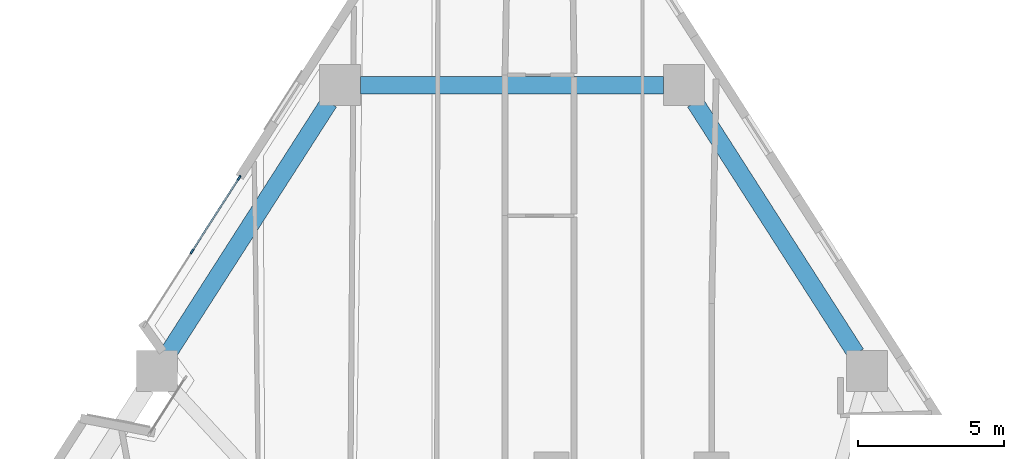
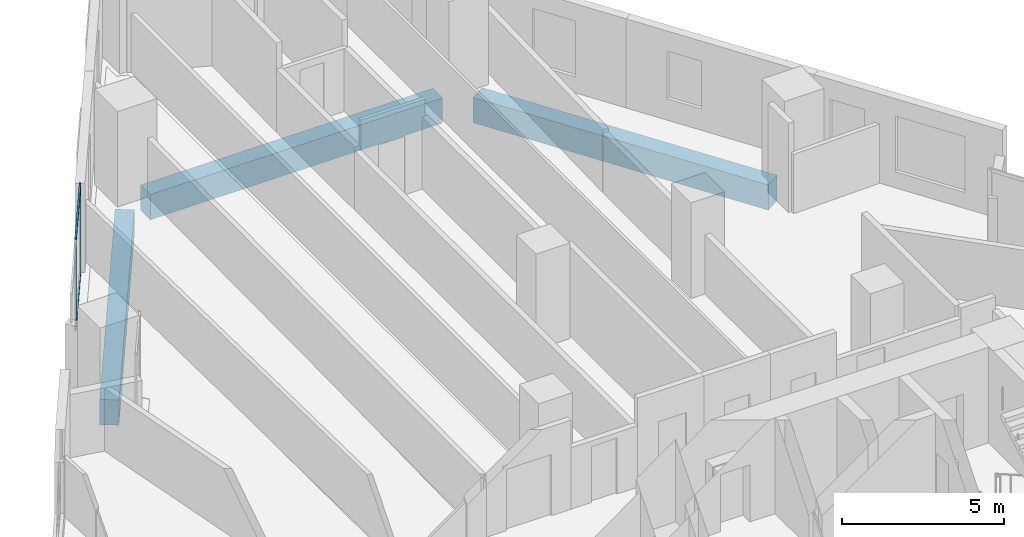
# One storey, part 6 of 15: 4 members, 3 beams, 1 element without a shape of its own.
"""IFC4 building model written with IfcOpenShell, lengths in metres."""

from ifc_helpers import new_model, si_unit, direction, frame, origin, origin_2d, place, context, subcontext, project, spatial, rectangle, extrude, material, layer, layer_set, material_profile, profile_set, type_object, element, aggregate, save


model = new_model("IFC4")

# Units and contexts
model_context = context("Model", 3, precision=1e-05, world=origin(), true_north=direction((0.0, 1.0)))
body_context = subcontext(model_context, "Body", "Model", "MODEL_VIEW")
ifc_project = project(units=[si_unit("LENGTHUNIT", "METRE"), si_unit("AREAUNIT", "SQUARE_METRE"), si_unit("VOLUMEUNIT", "CUBIC_METRE"), si_unit("PLANEANGLEUNIT", "RADIAN"), si_unit("MASSUNIT", "GRAM", prefix="KILO")], contexts=[model_context])

# Site, building, storey
site_placement = place(None, origin())
site = spatial("IfcSite", under=ifc_project, at=site_placement, CompositionType="ELEMENT")
building_placement = place(site_placement, origin())
building = spatial("IfcBuilding", under=site, at=building_placement, Name="Almagre Mirador Tower", CompositionType="ELEMENT")
storey_placement = place(building_placement, frame((0.0, 0.0, 31.800048828125)))
storey = spatial("IfcBuildingStorey", under=building, at=storey_placement, Name="L06", CompositionType="ELEMENT", Elevation=31.800048828125)

# Beams
ifc_material_1 = material(Name="Precast concrete C50/60", Category="concrete")
ifc_material_profile_1 = material_profile(ifc_material_1, rectangle(XDim=0.60009765625, YDim=0.949951171875, at=origin_2d()), Name="RC600X950")
ifc_profile_set_1 = profile_set([ifc_material_profile_1], Name="Precast concrete C50/60")
beam_type = type_object("IfcBeamType", Name="BM-SPN-RC600X950", PredefinedType="SPANDREL", material=ifc_profile_set_1)
beam_1_placement = place(storey_placement, frame((47.80029296875, 30.162353515625, -0.72509765625), z_axis=(-0.539538717329, 0.841960790359, 0.0), x_axis=(-0.841960790359, -0.539538717329, 0.0)))
element("IfcBeam", 1, at=beam_1_placement, inside=storey, type_object=beam_type, Name="L06 perimeter spandrel beam PC07-PC08", PredefinedType="SPANDREL", context=body_context, shape_type="SweptSolid", body=[
    extrude(rectangle(XDim=0.60009765625, YDim=0.949951171875, at=origin_2d()), origin(), (0.0, 0.0, 1.0), 10.239501953125),
])
beam_2_placement = place(storey_placement, frame((41.197998046875, 39.373046875, -0.72509765625), z_axis=(-1.0, 0.0, 0.0), x_axis=(0.0, -1.0, 0.0)))
element("IfcBeam", 2, at=beam_2_placement, inside=storey, type_object=beam_type, Name="L06 perimeter spandrel beam PC08-PC09", PredefinedType="SPANDREL", context=body_context, shape_type="SweptSolid", body=[
    extrude(rectangle(XDim=0.60009765625, YDim=0.949951171875, at=origin_2d()), origin(), (0.0, 0.0, 1.0), 10.39599609375),
])
beam_3_placement = place(storey_placement, frame((29.724365234375, 38.78369140625, -0.72509765625), z_axis=(-0.539538717329, -0.841960790359, 0.0), x_axis=(0.841960790359, -0.539538717329, 0.0)))
element("IfcBeam", 3, at=beam_3_placement, inside=storey, type_object=beam_type, Name="L06 perimeter spandrel beam PC09-PC10", PredefinedType="SPANDREL", context=body_context, shape_type="SweptSolid", body=[
    extrude(rectangle(XDim=0.60009765625, YDim=0.949951171875, at=origin_2d()), origin(), (0.0, 0.0, 1.0), 10.239501953125),
])

# Curtain wall, members
ifc_material_2 = material(Name="Black anodized aluminium", Category="aluminium")
ifc_layer = layer(ifc_material_2, 0.18994140625)
ifc_layer_set = layer_set([ifc_layer], Name="Black anodized aluminium")
curtain_wall_type = type_object("IfcCurtainWallType", Name="CW-RES-L-SYS", PredefinedType="NOTDEFINED", material=ifc_layer_set)
curtain_wall_placement = place(storey_placement, origin())
curtain_wall = element("IfcCurtainWall", 4, at=curtain_wall_placement, inside=storey, type_object=curtain_wall_type, Name="L06 curtain wall run 02", PredefinedType="NOTDEFINED")
ifc_material_3 = material(Name="Black anodized aluminium", Category="aluminium")
ifc_material_profile_2 = material_profile(ifc_material_3, rectangle(XDim=0.06494140625, YDim=0.179931640625, at=origin_2d()), Name="CWM65X180")
ifc_profile_set_2 = profile_set([ifc_material_profile_2], Name="Black anodized aluminium")
member_type_1 = type_object("IfcMemberType", Name="MBR-CWM65X180", PredefinedType="MULLION", material=ifc_profile_set_2)
member_1_placement = place(storey_placement, frame((25.0224609375, 33.66943359375, 0.0), z_axis=(0.0, 0.0, 1.0), x_axis=(-0.841967002982, 0.539529022287, 0.0)))
member_1 = element("IfcMember", 5, at=member_1_placement, type_object=member_type_1, Name="CW-2 mullion 2", PredefinedType="MULLION", context=body_context, shape_type="SweptSolid", body=[
    extrude(rectangle(XDim=0.06494140625, YDim=0.179931640625, at=origin_2d()), origin(), (0.0, 0.0, 1.0), 3.349853515625),
])
member_2_placement = place(storey_placement, frame((26.63916015625, 36.192626953125, 0.0), z_axis=(0.0, 0.0, 1.0), x_axis=(-0.841967002982, 0.539529022287, 0.0)))
member_2 = element("IfcMember", 6, at=member_2_placement, type_object=member_type_1, Name="CW-2 mullion 3", PredefinedType="MULLION", context=body_context, shape_type="SweptSolid", body=[
    extrude(rectangle(XDim=0.06494140625, YDim=0.179931640625, at=origin_2d()), origin(), (0.0, 0.0, 1.0), 3.349853515625),
])
ifc_material_4 = material(Name="Black anodized aluminium", Category="aluminium")
ifc_material_profile_3 = material_profile(ifc_material_4, rectangle(XDim=0.06005859375, YDim=0.1298828125, at=origin_2d()), Name="CWT60X130")
ifc_profile_set_3 = profile_set([ifc_material_profile_3], Name="Black anodized aluminium")
member_type_2 = type_object("IfcMemberType", Name="MBR-CWT60X130", PredefinedType="USERDEFINED", material=ifc_profile_set_3)
member_3_placement = place(storey_placement, frame((25.039794921875, 33.69677734375, 0.030029296875), z_axis=(0.539523852713, 0.841970315601, 0.0), x_axis=(-0.841970315601, 0.539523852713, 0.0)))
member_3 = element("IfcMember", 7, at=member_3_placement, type_object=member_type_2, Name="CW-2 transom 2.1", ObjectType="TRANSOM", PredefinedType="USERDEFINED", context=body_context, shape_type="SweptSolid", body=[
    extrude(rectangle(XDim=0.06005859375, YDim=0.1298828125, at=origin_2d()), origin(), (0.0, 0.0, 1.0), 2.931884765625),
])
member_4_placement = place(storey_placement, frame((25.039794921875, 33.69677734375, 3.320068359375), z_axis=(0.539523852713, 0.841970315601, 0.0), x_axis=(-0.841970315601, 0.539523852713, 0.0)))
member_4 = element("IfcMember", 8, at=member_4_placement, type_object=member_type_2, Name="CW-2 transom 2.2", ObjectType="TRANSOM", PredefinedType="USERDEFINED", context=body_context, shape_type="SweptSolid", body=[
    extrude(rectangle(XDim=0.06005859375, YDim=0.1298828125, at=origin_2d()), origin(), (0.0, 0.0, 1.0), 2.931884765625),
])
aggregate(curtain_wall, [member_1, member_2, member_3, member_4])

save(model, "model.ifc")
